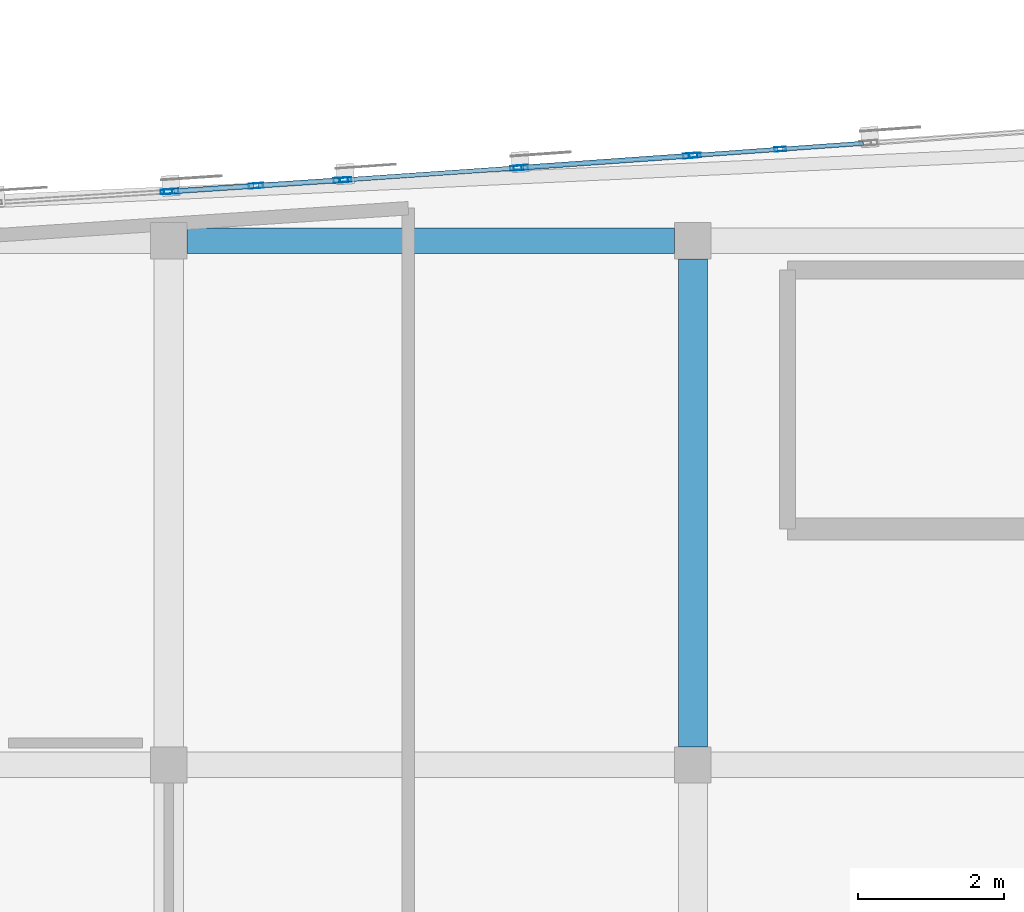
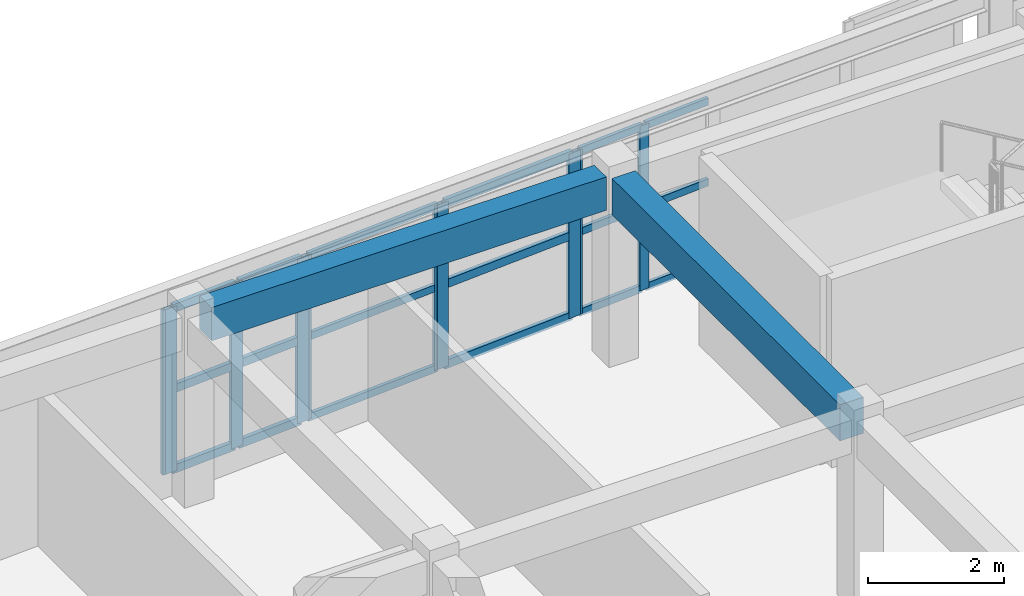
# One storey, part 7 of 34: 28 members, 2 beams, 5 elements without a shape of their own.
"""IFC4 building model written with IfcOpenShell, lengths in metres."""

from ifc_helpers import new_model, si_unit, direction, frame, origin, origin_2d, place, context, subcontext, project, spatial, rectangle, hollow_rectangle, extrude, material, layer, layer_set, material_profile, profile_set, type_object, element, aggregate, save


model = new_model("IFC4")

# Units and contexts
model_context = context("Model", 3, precision=1e-05, world=origin(), true_north=direction((0.0, 1.0)))
body_context = subcontext(model_context, "Body", "Model", "MODEL_VIEW")
ifc_project = project(units=[si_unit("LENGTHUNIT", "METRE"), si_unit("AREAUNIT", "SQUARE_METRE"), si_unit("VOLUMEUNIT", "CUBIC_METRE"), si_unit("PLANEANGLEUNIT", "RADIAN"), si_unit("MASSUNIT", "GRAM", prefix="KILO")], contexts=[model_context])

# Site, building, storey
site_placement = place(None, origin())
site = spatial("IfcSite", under=ifc_project, at=site_placement, CompositionType="ELEMENT")
building_placement = place(site_placement, origin())
building = spatial("IfcBuilding", under=site, at=building_placement, Name="Carrowvane Square Congress Hotel", CompositionType="ELEMENT")
storey_placement = place(building_placement, frame((0.0, 0.0, 40.800048828125)))
storey = spatial("IfcBuildingStorey", under=building, at=storey_placement, Name="L10", CompositionType="ELEMENT", Elevation=40.800048828125)

# Beams
ifc_material_1 = material(Name="Concrete C35/45", Category="concrete")
ifc_material_profile_1 = material_profile(ifc_material_1, rectangle(XDim=0.35009765625, YDim=0.60009765625, at=origin_2d()), Name="RC 350x600")
ifc_profile_set_1 = profile_set([ifc_material_profile_1], Name="Concrete C35/45")
beam_type_1 = type_object("IfcBeamType", Name="BM-RC-350x600", PredefinedType="BEAM", material=ifc_profile_set_1)
beam_1_placement = place(storey_placement, frame((47.85009765625, 113.39990234375, 3.079833984375), z_axis=(1.0, 0.0, 0.0), x_axis=(0.0, 1.0, 0.0)))
element("IfcBeam", 1, at=beam_1_placement, inside=storey, type_object=beam_type_1, Name="L11 girder R/6-7", PredefinedType="BEAM", context=body_context, shape_type="SweptSolid", body=[
    extrude(rectangle(XDim=0.35009765625, YDim=0.60009765625, at=origin_2d()), origin(), (0.0, 0.0, 1.0), 6.699951171875),
])
ifc_material_2 = material(Name="Concrete C35/45", Category="concrete")
ifc_material_profile_2 = material_profile(ifc_material_2, rectangle(XDim=0.39990234375, YDim=0.64990234375, at=origin_2d()), Name="RC 400x650")
ifc_profile_set_2 = profile_set([ifc_material_profile_2], Name="Concrete C35/45")
beam_type_2 = type_object("IfcBeamType", Name="BM-RC-400x650", PredefinedType="BEAM", material=ifc_profile_set_2)
beam_2_placement = place(storey_placement, frame((54.800048828125, 106.449951171875, 3.054931640625), z_axis=(0.0, 1.0, 0.0), x_axis=(-1.0, 0.0, 0.0)))
element("IfcBeam", 2, at=beam_2_placement, inside=storey, type_object=beam_type_2, Name="L11 girder 7/Q-R", PredefinedType="BEAM", context=body_context, shape_type="SweptSolid", body=[
    extrude(rectangle(XDim=0.39990234375, YDim=0.64990234375, at=origin_2d()), origin(), (0.0, 0.0, 1.0), 6.699951171875),
])

# Curtain wall, member
ifc_material_3 = material(Name="Anodised aluminium", Category="aluminium")
ifc_layer_1 = layer(ifc_material_3, 0.162109375)
ifc_layer_set_1 = layer_set([ifc_layer_1], Name="Anodised aluminium")
curtain_wall_type_1 = type_object("IfcCurtainWallType", Name="CW-SYS-1", PredefinedType="NOTDEFINED", material=ifc_layer_set_1)
curtain_wall_1_placement = place(storey_placement, origin())
curtain_wall_1 = element("IfcCurtainWall", 3, at=curtain_wall_1_placement, inside=storey, type_object=curtain_wall_type_1, Name="L10 unitised curtain wall 552", PredefinedType="NOTDEFINED")
ifc_material_4 = material(Name="Anodised aluminium", Category="aluminium")
ifc_material_profile_3 = material_profile(ifc_material_4, hollow_rectangle(XDim=0.06005859375, YDim=0.159912109375, WallThickness=0.00390625, at=origin_2d()), Name="CW-ML 60x160x4")
ifc_profile_set_3 = profile_set([ifc_material_profile_3], Name="Anodised aluminium")
member_type_1 = type_object("IfcMemberType", Name="CW-MUL-1", PredefinedType="MULLION", material=ifc_profile_set_3)
member_1_placement = place(storey_placement, frame((47.570068359375, 114.073486328125, 0.0), z_axis=(0.0, 0.0, 1.0), x_axis=(-0.063273487972, 0.997996225303, 0.0)))
member_1 = element("IfcMember", 4, at=member_1_placement, type_object=member_type_1, Name="CW-1 mullion 2", PredefinedType="MULLION", context=body_context, shape_type="SweptSolid", body=[
    extrude(hollow_rectangle(XDim=0.06005859375, YDim=0.159912109375, WallThickness=0.00390625, at=origin_2d()), origin(), (0.0, 0.0, 1.0), 2.95556640625),
])
aggregate(curtain_wall_1, [member_1])

# Curtain wall, members
ifc_material_5 = material(Name="Anodised aluminium", Category="aluminium")
ifc_layer_2 = layer(ifc_material_5, 0.18603515625)
ifc_layer_set_2 = layer_set([ifc_layer_2], Name="Anodised aluminium")
curtain_wall_type_2 = type_object("IfcCurtainWallType", Name="CW-SYS-3", PredefinedType="NOTDEFINED", material=ifc_layer_set_2)
curtain_wall_2_placement = place(storey_placement, origin())
curtain_wall_2 = element("IfcCurtainWall", 5, at=curtain_wall_2_placement, inside=storey, type_object=curtain_wall_type_2, Name="L10 unitised curtain wall 554", PredefinedType="NOTDEFINED")
member_2_placement = place(storey_placement, frame((50.030029296875, 114.237548828125, 0.0), z_axis=(0.0, 0.0, 1.0), x_axis=(-0.068986120725, 0.997617619706, 0.0)))
member_2 = element("IfcMember", 6, at=member_2_placement, type_object=member_type_1, Name="CW-3 mullion 1", PredefinedType="MULLION", context=body_context, shape_type="SweptSolid", body=[
    extrude(hollow_rectangle(XDim=0.06005859375, YDim=0.159912109375, WallThickness=0.00390625, at=origin_2d()), origin(), (0.0, 0.0, 1.0), 2.95556640625),
])
member_3_placement = place(storey_placement, frame((52.3701171875, 114.3994140625, 0.0), z_axis=(0.0, 0.0, 1.0), x_axis=(-0.068986120725, 0.997617619706, 0.0)))
member_3 = element("IfcMember", 7, at=member_3_placement, type_object=member_type_1, Name="CW-3 mullion 2", PredefinedType="MULLION", context=body_context, shape_type="SweptSolid", body=[
    extrude(hollow_rectangle(XDim=0.06005859375, YDim=0.159912109375, WallThickness=0.00390625, at=origin_2d()), origin(), (0.0, 0.0, 1.0), 2.95556640625),
])

ifc_material_6 = material(Name="Anodised aluminium", Category="aluminium")
ifc_layer_3 = layer(ifc_material_6, 0.2099609375)
ifc_layer_set_3 = layer_set([ifc_layer_3], Name="Anodised aluminium")
curtain_wall_type_3 = type_object("IfcCurtainWallType", Name="CW-SYS-5", PredefinedType="NOTDEFINED", material=ifc_layer_set_3)
curtain_wall_3_placement = place(storey_placement, origin())
curtain_wall_3 = element("IfcCurtainWall", 8, at=curtain_wall_3_placement, inside=storey, type_object=curtain_wall_type_3, Name="L10 unitised curtain wall 556", PredefinedType="NOTDEFINED")
member_4_placement = place(storey_placement, frame((54.829833984375, 114.573486328125, 0.0), z_axis=(0.0, 0.0, 1.0), x_axis=(-0.071418356042, 0.997446448898, 0.0)))
member_4 = element("IfcMember", 9, at=member_4_placement, type_object=member_type_1, Name="CW-5 mullion 1", PredefinedType="MULLION", context=body_context, shape_type="SweptSolid", body=[
    extrude(hollow_rectangle(XDim=0.06005859375, YDim=0.159912109375, WallThickness=0.00390625, at=origin_2d()), origin(), (0.0, 0.0, 1.0), 2.95556640625),
])
member_5_placement = place(storey_placement, frame((56.0, 114.6572265625, 0.0), z_axis=(0.0, 0.0, 1.0), x_axis=(-0.071418356042, 0.997446448898, 0.0)))
member_5 = element("IfcMember", 10, at=member_5_placement, type_object=member_type_1, Name="CW-5 mullion 2", PredefinedType="MULLION", context=body_context, shape_type="SweptSolid", body=[
    extrude(hollow_rectangle(XDim=0.06005859375, YDim=0.159912109375, WallThickness=0.00390625, at=origin_2d()), origin(), (0.0, 0.0, 1.0), 2.95556640625),
])

ifc_material_7 = material(Name="Anodised aluminium", Category="aluminium")
ifc_layer_4 = layer(ifc_material_7, 0.174072265625)
ifc_layer_set_4 = layer_set([ifc_layer_4], Name="Anodised aluminium")
curtain_wall_type_4 = type_object("IfcCurtainWallType", Name="CW-SYS-2", PredefinedType="NOTDEFINED", material=ifc_layer_set_4)
curtain_wall_4_placement = place(storey_placement, origin())
curtain_wall_4 = element("IfcCurtainWall", 11, at=curtain_wall_4_placement, inside=storey, type_object=curtain_wall_type_4, Name="L10 unitised curtain wall 553", PredefinedType="NOTDEFINED")
ifc_material_8 = material(Name="Anodised aluminium", Category="aluminium")
ifc_material_profile_4 = material_profile(ifc_material_8, hollow_rectangle(XDim=0.070068359375, YDim=0.199951171875, WallThickness=0.0048828125, at=origin_2d()), Name="CW-ML 70x200x5")
ifc_profile_set_4 = profile_set([ifc_material_profile_4], Name="Anodised aluminium")
member_type_2 = type_object("IfcMemberType", Name="CW-MUL-2", PredefinedType="MULLION", material=ifc_profile_set_4)
member_6_placement = place(storey_placement, frame((47.635009765625, 114.07763671875, 0.0), z_axis=(0.0, 0.0, 1.0), x_axis=(-0.066578061501, 0.99778121937, 0.0)))
member_6 = element("IfcMember", 12, at=member_6_placement, type_object=member_type_2, Name="CW-2 mullion 1", PredefinedType="MULLION", context=body_context, shape_type="SweptSolid", body=[
    extrude(hollow_rectangle(XDim=0.070068359375, YDim=0.199951171875, WallThickness=0.0048828125, at=origin_2d()), origin(), (0.0, 0.0, 1.0), 2.95556640625),
])
member_7_placement = place(storey_placement, frame((48.800048828125, 114.155517578125, 0.0), z_axis=(0.0, 0.0, 1.0), x_axis=(-0.066578061501, 0.99778121937, 0.0)))
member_7 = element("IfcMember", 13, at=member_7_placement, type_object=member_type_2, Name="CW-2 mullion 2", PredefinedType="MULLION", context=body_context, shape_type="SweptSolid", body=[
    extrude(hollow_rectangle(XDim=0.070068359375, YDim=0.199951171875, WallThickness=0.0048828125, at=origin_2d()), origin(), (0.0, 0.0, 1.0), 2.95556640625),
])
member_8_placement = place(storey_placement, frame((49.965087890625, 114.233154296875, 0.0), z_axis=(0.0, 0.0, 1.0), x_axis=(-0.066578061501, 0.99778121937, 0.0)))
member_8 = element("IfcMember", 14, at=member_8_placement, type_object=member_type_2, Name="CW-2 mullion 3", PredefinedType="MULLION", context=body_context, shape_type="SweptSolid", body=[
    extrude(hollow_rectangle(XDim=0.070068359375, YDim=0.199951171875, WallThickness=0.0048828125, at=origin_2d()), origin(), (0.0, 0.0, 1.0), 2.95556640625),
])

ifc_material_9 = material(Name="Anodised aluminium", Category="aluminium")
ifc_layer_5 = layer(ifc_material_9, 0.197998046875)
ifc_layer_set_5 = layer_set([ifc_layer_5], Name="Anodised aluminium")
curtain_wall_type_5 = type_object("IfcCurtainWallType", Name="CW-SYS-4", PredefinedType="NOTDEFINED", material=ifc_layer_set_5)
curtain_wall_5_placement = place(storey_placement, origin())
curtain_wall_5 = element("IfcCurtainWall", 15, at=curtain_wall_5_placement, inside=storey, type_object=curtain_wall_type_5, Name="L10 unitised curtain wall 555", PredefinedType="NOTDEFINED")
member_9_placement = place(storey_placement, frame((52.434814453125, 114.40380859375, 0.0), z_axis=(0.0, 0.0, 1.0), x_axis=(-0.070585996942, 0.997505697746, 0.0)))
member_9 = element("IfcMember", 16, at=member_9_placement, type_object=member_type_2, Name="CW-4 mullion 1", PredefinedType="MULLION", context=body_context, shape_type="SweptSolid", body=[
    extrude(hollow_rectangle(XDim=0.070068359375, YDim=0.199951171875, WallThickness=0.0048828125, at=origin_2d()), origin(), (0.0, 0.0, 1.0), 2.95556640625),
])
member_10_placement = place(storey_placement, frame((54.76513671875, 114.56884765625, 0.0), z_axis=(0.0, 0.0, 1.0), x_axis=(-0.070585996942, 0.997505697746, 0.0)))
member_10 = element("IfcMember", 17, at=member_10_placement, type_object=member_type_2, Name="CW-4 mullion 2", PredefinedType="MULLION", context=body_context, shape_type="SweptSolid", body=[
    extrude(hollow_rectangle(XDim=0.070068359375, YDim=0.199951171875, WallThickness=0.0048828125, at=origin_2d()), origin(), (0.0, 0.0, 1.0), 2.95556640625),
])

# Member
ifc_material_10 = material(Name="Anodised aluminium", Category="aluminium")
ifc_material_profile_5 = material_profile(ifc_material_10, hollow_rectangle(XDim=0.06005859375, YDim=0.1298828125, WallThickness=0.00390625, at=origin_2d()), Name="CW-TR 60x130x4")
ifc_profile_set_5 = profile_set([ifc_material_profile_5], Name="Anodised aluminium")
member_type_3 = type_object("IfcMemberType", Name="CW-TRN-1", PredefinedType="USERDEFINED", material=ifc_profile_set_5)
member_11_placement = place(storey_placement, frame((50.059814453125, 114.239501953125, 0.030029296875), z_axis=(0.997616657175, 0.069000038601, 0.0), x_axis=(-0.069000038601, 0.997616657175, 0.0)))
member_11 = element("IfcMember", 18, at=member_11_placement, type_object=member_type_3, Name="CW-3 transom 1.1", ObjectType="TRANSOM", PredefinedType="USERDEFINED", context=body_context, shape_type="SweptSolid", body=[
    extrude(hollow_rectangle(XDim=0.06005859375, YDim=0.1298828125, WallThickness=0.00390625, at=origin_2d()), origin(), (0.0, 0.0, 1.0), 2.28564453125),
])

member_12_placement = place(storey_placement, frame((50.059814453125, 114.239501953125, 1.477783203125), z_axis=(0.997616657175, 0.069000038601, 0.0), x_axis=(-0.069000038601, 0.997616657175, 0.0)))
member_12 = element("IfcMember", 19, at=member_12_placement, type_object=member_type_3, Name="CW-3 transom 1.2", ObjectType="TRANSOM", PredefinedType="USERDEFINED", context=body_context, shape_type="SweptSolid", body=[
    extrude(hollow_rectangle(XDim=0.06005859375, YDim=0.1298828125, WallThickness=0.00390625, at=origin_2d()), origin(), (0.0, 0.0, 1.0), 2.28564453125),
])

member_13_placement = place(storey_placement, frame((50.059814453125, 114.239501953125, 2.925537109375), z_axis=(0.997616657175, 0.069000038601, 0.0), x_axis=(-0.069000038601, 0.997616657175, 0.0)))
member_13 = element("IfcMember", 20, at=member_13_placement, type_object=member_type_3, Name="CW-3 transom 1.3", ObjectType="TRANSOM", PredefinedType="USERDEFINED", context=body_context, shape_type="SweptSolid", body=[
    extrude(hollow_rectangle(XDim=0.06005859375, YDim=0.1298828125, WallThickness=0.00390625, at=origin_2d()), origin(), (0.0, 0.0, 1.0), 2.28564453125),
])

aggregate(curtain_wall_2, [member_2, member_3, member_11, member_12, member_13])

member_14_placement = place(storey_placement, frame((54.85986328125, 114.575439453125, 0.030029296875), z_axis=(0.997439734895, 0.071512063685, 0.0), x_axis=(-0.071512063685, 0.997439734895, 0.0)))
member_14 = element("IfcMember", 21, at=member_14_placement, type_object=member_type_3, Name="CW-5 transom 1.1", ObjectType="TRANSOM", PredefinedType="USERDEFINED", context=body_context, shape_type="SweptSolid", body=[
    extrude(hollow_rectangle(XDim=0.06005859375, YDim=0.1298828125, WallThickness=0.00390625, at=origin_2d()), origin(), (0.0, 0.0, 1.0), 1.113037109375),
])

member_15_placement = place(storey_placement, frame((54.85986328125, 114.575439453125, 1.477783203125), z_axis=(0.997439734895, 0.071512063685, 0.0), x_axis=(-0.071512063685, 0.997439734895, 0.0)))
member_15 = element("IfcMember", 22, at=member_15_placement, type_object=member_type_3, Name="CW-5 transom 1.2", ObjectType="TRANSOM", PredefinedType="USERDEFINED", context=body_context, shape_type="SweptSolid", body=[
    extrude(hollow_rectangle(XDim=0.06005859375, YDim=0.1298828125, WallThickness=0.00390625, at=origin_2d()), origin(), (0.0, 0.0, 1.0), 1.113037109375),
])

member_16_placement = place(storey_placement, frame((54.85986328125, 114.575439453125, 2.925537109375), z_axis=(0.997439734895, 0.071512063685, 0.0), x_axis=(-0.071512063685, 0.997439734895, 0.0)))
member_16 = element("IfcMember", 23, at=member_16_placement, type_object=member_type_3, Name="CW-5 transom 1.3", ObjectType="TRANSOM", PredefinedType="USERDEFINED", context=body_context, shape_type="SweptSolid", body=[
    extrude(hollow_rectangle(XDim=0.06005859375, YDim=0.1298828125, WallThickness=0.00390625, at=origin_2d()), origin(), (0.0, 0.0, 1.0), 1.113037109375),
])

member_17_placement = place(storey_placement, frame((56.02978515625, 114.659423828125, 0.030029296875), z_axis=(0.997456472769, 0.071278221999, 0.0), x_axis=(-0.071278221999, 0.997456472769, 0.0)))
member_17 = element("IfcMember", 24, at=member_17_placement, type_object=member_type_3, Name="CW-5 transom 2.1", ObjectType="TRANSOM", PredefinedType="USERDEFINED", context=body_context, shape_type="SweptSolid", body=[
    extrude(hollow_rectangle(XDim=0.06005859375, YDim=0.1298828125, WallThickness=0.00390625, at=origin_2d()), origin(), (0.0, 0.0, 1.0), 1.11328125),
])

member_18_placement = place(storey_placement, frame((56.02978515625, 114.659423828125, 1.477783203125), z_axis=(0.997456472769, 0.071278221999, 0.0), x_axis=(-0.071278221999, 0.997456472769, 0.0)))
member_18 = element("IfcMember", 25, at=member_18_placement, type_object=member_type_3, Name="CW-5 transom 2.2", ObjectType="TRANSOM", PredefinedType="USERDEFINED", context=body_context, shape_type="SweptSolid", body=[
    extrude(hollow_rectangle(XDim=0.06005859375, YDim=0.1298828125, WallThickness=0.00390625, at=origin_2d()), origin(), (0.0, 0.0, 1.0), 1.11328125),
])

member_19_placement = place(storey_placement, frame((56.02978515625, 114.659423828125, 2.925537109375), z_axis=(0.997456472769, 0.071278221999, 0.0), x_axis=(-0.071278221999, 0.997456472769, 0.0)))
member_19 = element("IfcMember", 26, at=member_19_placement, type_object=member_type_3, Name="CW-5 transom 2.3", ObjectType="TRANSOM", PredefinedType="USERDEFINED", context=body_context, shape_type="SweptSolid", body=[
    extrude(hollow_rectangle(XDim=0.06005859375, YDim=0.1298828125, WallThickness=0.00390625, at=origin_2d()), origin(), (0.0, 0.0, 1.0), 1.11328125),
])

aggregate(curtain_wall_3, [member_4, member_5, member_14, member_15, member_16, member_17, member_18, member_19])

ifc_material_11 = material(Name="Anodised aluminium", Category="aluminium")
ifc_material_profile_6 = material_profile(ifc_material_11, hollow_rectangle(XDim=0.070068359375, YDim=0.14990234375, WallThickness=0.0048828125, at=origin_2d()), Name="CW-TR 70x150x5")
ifc_profile_set_6 = profile_set([ifc_material_profile_6], Name="Anodised aluminium")
member_type_4 = type_object("IfcMemberType", Name="CW-TRN-2", PredefinedType="USERDEFINED", material=ifc_profile_set_6)
member_20_placement = place(storey_placement, frame((47.669921875, 114.080078125, 0.034912109375), z_axis=(0.997786141917, 0.066504247979, 0.0), x_axis=(-0.066504247979, 0.997786141917, 0.0)))
member_20 = element("IfcMember", 27, at=member_20_placement, type_object=member_type_4, Name="CW-2 transom 1.1", ObjectType="TRANSOM", PredefinedType="USERDEFINED", context=body_context, shape_type="SweptSolid", body=[
    extrude(hollow_rectangle(XDim=0.070068359375, YDim=0.14990234375, WallThickness=0.0048828125, at=origin_2d()), origin(), (0.0, 0.0, 1.0), 1.09765625),
])

member_21_placement = place(storey_placement, frame((47.669921875, 114.080078125, 1.477783203125), z_axis=(0.997786141917, 0.066504247979, 0.0), x_axis=(-0.066504247979, 0.997786141917, 0.0)))
member_21 = element("IfcMember", 28, at=member_21_placement, type_object=member_type_4, Name="CW-2 transom 1.2", ObjectType="TRANSOM", PredefinedType="USERDEFINED", context=body_context, shape_type="SweptSolid", body=[
    extrude(hollow_rectangle(XDim=0.070068359375, YDim=0.14990234375, WallThickness=0.0048828125, at=origin_2d()), origin(), (0.0, 0.0, 1.0), 1.09765625),
])

member_22_placement = place(storey_placement, frame((47.669921875, 114.080078125, 2.920654296875), z_axis=(0.997786141917, 0.066504247979, 0.0), x_axis=(-0.066504247979, 0.997786141917, 0.0)))
member_22 = element("IfcMember", 29, at=member_22_placement, type_object=member_type_4, Name="CW-2 transom 1.3", ObjectType="TRANSOM", PredefinedType="USERDEFINED", context=body_context, shape_type="SweptSolid", body=[
    extrude(hollow_rectangle(XDim=0.070068359375, YDim=0.14990234375, WallThickness=0.0048828125, at=origin_2d()), origin(), (0.0, 0.0, 1.0), 1.09765625),
])

member_23_placement = place(storey_placement, frame((48.8349609375, 114.15771484375, 0.034912109375), z_axis=(0.997786141917, 0.066504247979, 0.0), x_axis=(-0.066504247979, 0.997786141917, 0.0)))
member_23 = element("IfcMember", 30, at=member_23_placement, type_object=member_type_4, Name="CW-2 transom 2.1", ObjectType="TRANSOM", PredefinedType="USERDEFINED", context=body_context, shape_type="SweptSolid", body=[
    extrude(hollow_rectangle(XDim=0.070068359375, YDim=0.14990234375, WallThickness=0.0048828125, at=origin_2d()), origin(), (0.0, 0.0, 1.0), 1.09765625),
])

member_24_placement = place(storey_placement, frame((48.8349609375, 114.15771484375, 1.477783203125), z_axis=(0.997786141917, 0.066504247979, 0.0), x_axis=(-0.066504247979, 0.997786141917, 0.0)))
member_24 = element("IfcMember", 31, at=member_24_placement, type_object=member_type_4, Name="CW-2 transom 2.2", ObjectType="TRANSOM", PredefinedType="USERDEFINED", context=body_context, shape_type="SweptSolid", body=[
    extrude(hollow_rectangle(XDim=0.070068359375, YDim=0.14990234375, WallThickness=0.0048828125, at=origin_2d()), origin(), (0.0, 0.0, 1.0), 1.09765625),
])

member_25_placement = place(storey_placement, frame((48.8349609375, 114.15771484375, 2.920654296875), z_axis=(0.997786141917, 0.066504247979, 0.0), x_axis=(-0.066504247979, 0.997786141917, 0.0)))
member_25 = element("IfcMember", 32, at=member_25_placement, type_object=member_type_4, Name="CW-2 transom 2.3", ObjectType="TRANSOM", PredefinedType="USERDEFINED", context=body_context, shape_type="SweptSolid", body=[
    extrude(hollow_rectangle(XDim=0.070068359375, YDim=0.14990234375, WallThickness=0.0048828125, at=origin_2d()), origin(), (0.0, 0.0, 1.0), 1.09765625),
])

aggregate(curtain_wall_4, [member_6, member_7, member_8, member_20, member_21, member_22, member_23, member_24, member_25])

member_26_placement = place(storey_placement, frame((52.4697265625, 114.406494140625, 0.034912109375), z_axis=(0.997507138694, 0.070565630829, 0.0), x_axis=(-0.070565630829, 0.997507138694, 0.0)))
member_26 = element("IfcMember", 33, at=member_26_placement, type_object=member_type_4, Name="CW-4 transom 1.1", ObjectType="TRANSOM", PredefinedType="USERDEFINED", context=body_context, shape_type="SweptSolid", body=[
    extrude(hollow_rectangle(XDim=0.070068359375, YDim=0.14990234375, WallThickness=0.0048828125, at=origin_2d()), origin(), (0.0, 0.0, 1.0), 2.26611328125),
])

member_27_placement = place(storey_placement, frame((52.4697265625, 114.406494140625, 1.477783203125), z_axis=(0.997507138694, 0.070565630829, 0.0), x_axis=(-0.070565630829, 0.997507138694, 0.0)))
member_27 = element("IfcMember", 34, at=member_27_placement, type_object=member_type_4, Name="CW-4 transom 1.2", ObjectType="TRANSOM", PredefinedType="USERDEFINED", context=body_context, shape_type="SweptSolid", body=[
    extrude(hollow_rectangle(XDim=0.070068359375, YDim=0.14990234375, WallThickness=0.0048828125, at=origin_2d()), origin(), (0.0, 0.0, 1.0), 2.26611328125),
])

member_28_placement = place(storey_placement, frame((52.4697265625, 114.406494140625, 2.920654296875), z_axis=(0.997507138694, 0.070565630829, 0.0), x_axis=(-0.070565630829, 0.997507138694, 0.0)))
member_28 = element("IfcMember", 35, at=member_28_placement, type_object=member_type_4, Name="CW-4 transom 1.3", ObjectType="TRANSOM", PredefinedType="USERDEFINED", context=body_context, shape_type="SweptSolid", body=[
    extrude(hollow_rectangle(XDim=0.070068359375, YDim=0.14990234375, WallThickness=0.0048828125, at=origin_2d()), origin(), (0.0, 0.0, 1.0), 2.26611328125),
])

aggregate(curtain_wall_5, [member_9, member_10, member_26, member_27, member_28])

save(model, "model.ifc")
